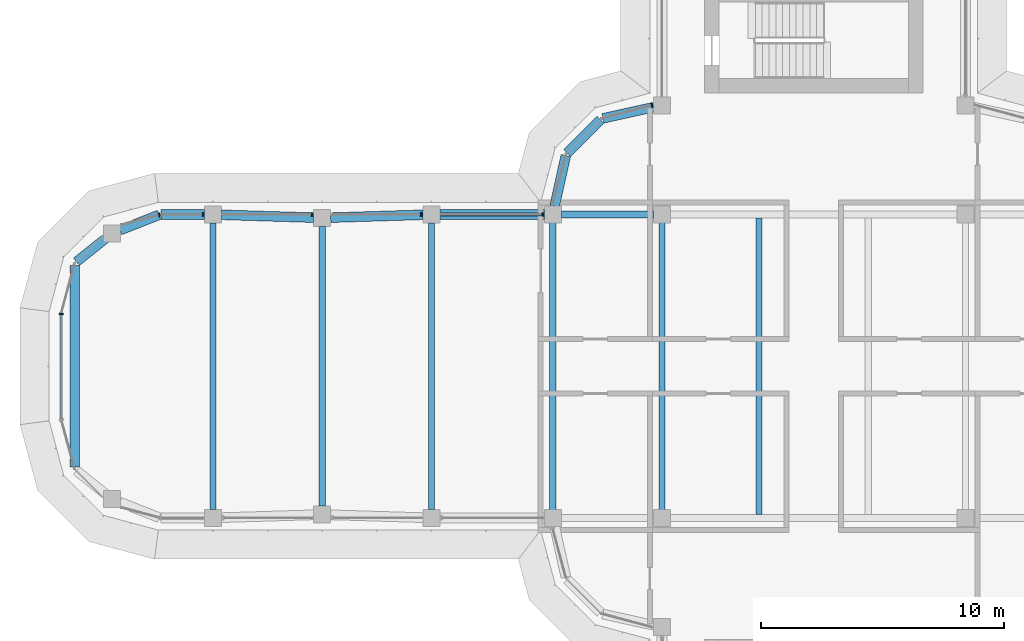
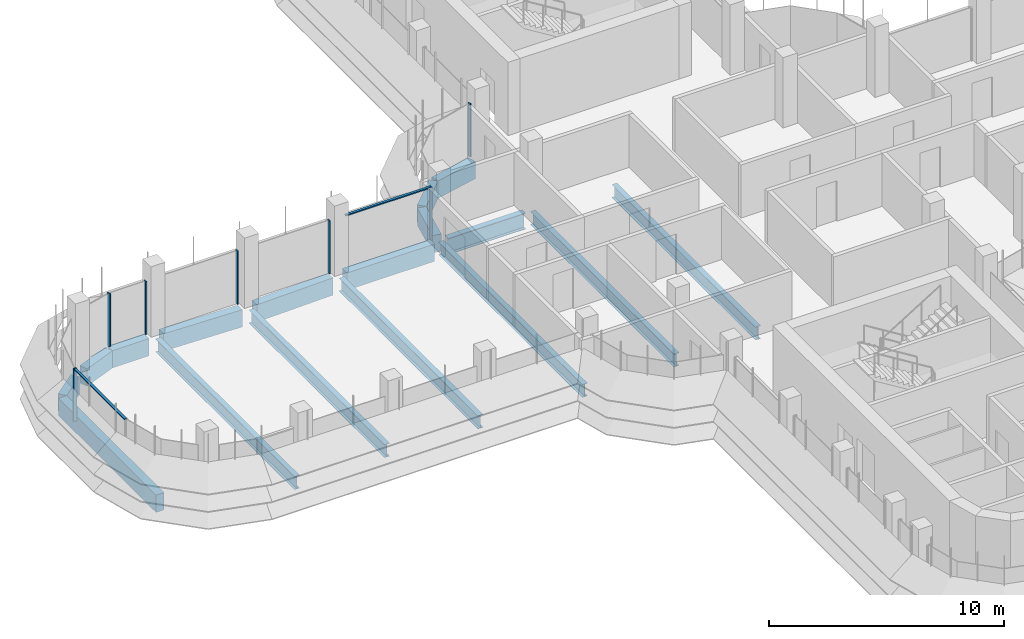
# One storey, part 6 of 19: 17 beams, 9 members, 4 elements without a shape of their own.
"""IFC4 building model written with IfcOpenShell, lengths in metres."""

from ifc_helpers import new_model, si_unit, direction, frame, origin, origin_2d, place, context, subcontext, project, spatial, polyline, rectangle, i_section, outline, extrude, source, transform, mapped, material, material_profile, profile_set, type_object, element, aggregate, save


model = new_model("IFC4")

# Units and contexts
model_context = context("Model", 3, precision=1e-05, world=origin(), true_north=direction((0.0, 1.0)))
body_context = subcontext(model_context, "Body", "Model", "MODEL_VIEW")
ifc_project = project(units=[si_unit("LENGTHUNIT", "METRE"), si_unit("AREAUNIT", "SQUARE_METRE"), si_unit("VOLUMEUNIT", "CUBIC_METRE"), si_unit("PLANEANGLEUNIT", "RADIAN"), si_unit("MASSUNIT", "GRAM", prefix="KILO")], contexts=[model_context])

# Site, building, storey
site_placement = place(None, origin())
site = spatial("IfcSite", under=ifc_project, at=site_placement, CompositionType="ELEMENT")
building_placement = place(site_placement, origin())
building = spatial("IfcBuilding", under=site, at=building_placement, Name="Zarbagh Exchange Tower", CompositionType="ELEMENT")
storey_placement = place(building_placement, frame((0.0, 0.0, 237.199951171875)))
storey = spatial("IfcBuildingStorey", under=building, at=storey_placement, Name="L58", CompositionType="ELEMENT", Elevation=237.199951171875)

# Beams
ifc_material_1 = material(Name="Steel ASTM A992 Gr 50", Category="steel")
ifc_material_profile_1 = material_profile(ifc_material_1, i_section(OverallWidth=0.25390625, OverallDepth=0.67822265625, WebThickness=0.01171875, FlangeThickness=0.016357421875, at=origin_2d()), Name="W27X84")
ifc_profile_set_1 = profile_set([ifc_material_profile_1], Name="Steel ASTM A992 Gr 50")
beam_type_1 = type_object("IfcBeamType", Name="Floor beam W27X84", PredefinedType="BEAM", material=ifc_profile_set_1)
for number, where, z_axis, x_axis, name in (
    (1, (-10.75, -6.10400390625, -0.489013671875), (0.0, 1.0, 0.0), (-1.0, 0.0, 0.0), "Steel floor beam"),
    (2, (-6.25, -6.10400390625, -0.489013671875), (0.0, 1.0, 0.0), (-1.0, 0.0, 0.0), "Steel floor beam"),
    (3, (-2.25, -6.10400390625, -0.489013671875), (0.0, 1.0, 0.0), (-1.0, 0.0, 0.0), "Steel floor beam"),
):
    element("IfcBeam", number, at=place(storey_placement, frame(where, z_axis=z_axis, x_axis=x_axis)), inside=storey, type_object=beam_type_1, Name=name, PredefinedType="BEAM", context=body_context, shape_type="SweptSolid", body=[
        extrude(i_section(OverallWidth=0.25390625, OverallDepth=0.67822265625, WebThickness=0.01171875, FlangeThickness=0.016357421875, at=origin_2d()), origin(), (0.0, 0.0, 1.0), 12.2080078125),
    ])
beam_1_placement = place(storey_placement, frame((-15.75, -5.89990234375, -0.489013671875), z_axis=(0.0, 1.0, 0.0), x_axis=(-1.0, 0.0, 0.0)))
element("IfcBeam", 4, at=beam_1_placement, inside=storey, type_object=beam_type_1, Name="Steel floor beam", PredefinedType="BEAM", context=body_context, shape_type="SweptSolid", body=[
    extrude(i_section(OverallWidth=0.25390625, OverallDepth=0.67822265625, WebThickness=0.01171875, FlangeThickness=0.016357421875, at=origin_2d()), origin(), (0.0, 0.0, 1.0), 11.7998046875),
])
beam_2_placement = place(storey_placement, frame((-20.25, -5.760009765625, -0.489013671875), z_axis=(0.0, 1.0, 0.0), x_axis=(-1.0, 0.0, 0.0)))
element("IfcBeam", 5, at=beam_2_placement, inside=storey, type_object=beam_type_1, Name="Steel floor beam", PredefinedType="BEAM", context=body_context, shape_type="SweptSolid", body=[
    extrude(i_section(OverallWidth=0.25390625, OverallDepth=0.67822265625, WebThickness=0.01171875, FlangeThickness=0.016357421875, at=origin_2d()), origin(), (0.0, 0.0, 1.0), 11.52001953125),
])
beam_3_placement = place(storey_placement, frame((-24.75, -5.89990234375, -0.489013671875), z_axis=(0.0, 1.0, 0.0), x_axis=(-1.0, 0.0, 0.0)))
element("IfcBeam", 6, at=beam_3_placement, inside=storey, type_object=beam_type_1, Name="Steel floor beam", PredefinedType="BEAM", context=body_context, shape_type="SweptSolid", body=[
    extrude(i_section(OverallWidth=0.25390625, OverallDepth=0.67822265625, WebThickness=0.01171875, FlangeThickness=0.016357421875, at=origin_2d()), origin(), (0.0, 0.0, 1.0), 11.7998046875),
])
ifc_material_profile_2 = material_profile(ifc_material_1, i_section(OverallWidth=0.2919921875, OverallDepth=0.835693359375, WebThickness=0.013916015625, FlangeThickness=0.018798828125, at=origin_2d()), Name="W33X118")
ifc_profile_set_2 = profile_set([ifc_material_profile_2], Name="Steel ASTM A992 Gr 50")
beam_type_2 = type_object("IfcBeamType", Name="Floor girder W33X118", PredefinedType="BEAM", material=ifc_profile_set_2)
beam_4_placement = place(storey_placement, frame((-10.39990234375, 6.25, -0.56787109375), z_axis=(1.0, 0.0, 0.0), x_axis=(0.0, 1.0, 0.0)))
element("IfcBeam", 7, at=beam_4_placement, inside=storey, type_object=beam_type_2, Name="Steel girder", PredefinedType="BEAM", context=body_context, shape_type="SweptSolid", body=[
    extrude(i_section(OverallWidth=0.2919921875, OverallDepth=0.835693359375, WebThickness=0.013916015625, FlangeThickness=0.018798828125, at=origin_2d()), origin(), (0.0, 0.0, 1.0), 3.7998046875),
])
ifc_material_2 = material(Name="Concrete C50/60", Category="concrete")
ifc_material_profile_3 = material_profile(ifc_material_2, rectangle(XDim=0.39990234375, YDim=0.89990234375, at=origin_2d()), Name="RC spandrel beam 400 x 900 C50/60")
ifc_profile_set_3 = profile_set([ifc_material_profile_3], Name="Concrete C50/60")
beam_type_3 = type_object("IfcBeamType", Name="RC spandrel beam 400 x 900 C50/60", PredefinedType="SPANDREL", material=ifc_profile_set_3)
beam_5_placement = place(storey_placement, frame((-30.44873046875, -4.14501953125, -0.599853515625), z_axis=(0.0, 1.0, 0.0), x_axis=(-1.0, 0.0, 0.0)))
element("IfcBeam", 8, at=beam_5_placement, inside=storey, type_object=beam_type_3, Name="RC spandrel beam", PredefinedType="SPANDREL", context=body_context, shape_type="SweptSolid", body=[
    extrude(rectangle(XDim=0.39990234375, YDim=0.89990234375, at=origin_2d()), origin(), (0.0, 0.0, 1.0), 8.2900390625),
])
beam_6_placement = place(storey_placement, frame((-30.373779296875, 4.30126953125, -0.599853515625), z_axis=(0.780634897504, 0.62498732531, 0.0), x_axis=(-0.62498732531, 0.780634897504, 0.0)))
element("IfcBeam", 9, at=beam_6_placement, inside=storey, type_object=beam_type_3, Name="RC spandrel beam", PredefinedType="SPANDREL", context=body_context, shape_type="SweptSolid", body=[
    extrude(rectangle(XDim=0.39990234375, YDim=0.89990234375, at=origin_2d()), origin(), (0.0, 0.0, 1.0), 1.52783203125),
])
beam_7_placement = place(storey_placement, frame((-28.582275390625, 5.602783203125, -0.599853515625), z_axis=(0.930809711446, 0.365504146457, 0.0), x_axis=(-0.365504146457, 0.930809711446, 0.0)))
element("IfcBeam", 10, at=beam_7_placement, inside=storey, type_object=beam_type_3, Name="RC spandrel beam", PredefinedType="SPANDREL", context=body_context, shape_type="SweptSolid", body=[
    extrude(rectangle(XDim=0.39990234375, YDim=0.89990234375, at=origin_2d()), origin(), (0.0, 0.0, 1.0), 1.732666015625),
])
beam_8_placement = place(storey_placement, frame((-26.896240234375, 6.25, -0.599853515625), z_axis=(1.0, 0.0, 0.0), x_axis=(0.0, 1.0, 0.0)))
element("IfcBeam", 11, at=beam_8_placement, inside=storey, type_object=beam_type_3, Name="RC spandrel beam", PredefinedType="SPANDREL", context=body_context, shape_type="SweptSolid", body=[
    extrude(rectangle(XDim=0.39990234375, YDim=0.89990234375, at=origin_2d()), origin(), (0.0, 0.0, 1.0), 1.796142578125),
])
for number, where, z_axis, x_axis, name in (
    (12, (-24.400146484375, 6.239013671875, -0.599853515625), (0.999516950199, -0.031078389046, 0.0), (0.031078389046, 0.999516950199, 0.0), "RC spandrel beam"),
    (13, (-19.900146484375, 6.120849609375, -0.599853515625), (0.999516950199, 0.031078389046, 0.0), (-0.031078389046, 0.999516950199, 0.0), "RC spandrel beam"),
):
    element("IfcBeam", number, at=place(storey_placement, frame(where, z_axis=z_axis, x_axis=x_axis)), inside=storey, type_object=beam_type_3, Name=name, PredefinedType="SPANDREL", context=body_context, shape_type="SweptSolid", body=[
        extrude(rectangle(XDim=0.39990234375, YDim=0.89990234375, at=origin_2d()), origin(), (0.0, 0.0, 1.0), 3.80224609375),
    ])
beam_9_placement = place(storey_placement, frame((-15.39990234375, 6.25, -0.599853515625), z_axis=(1.0, 0.0, 0.0), x_axis=(0.0, 1.0, 0.0)))
element("IfcBeam", 14, at=beam_9_placement, inside=storey, type_object=beam_type_3, Name="RC spandrel beam", PredefinedType="SPANDREL", context=body_context, shape_type="SweptSolid", body=[
    extrude(rectangle(XDim=0.39990234375, YDim=0.89990234375, at=origin_2d()), origin(), (0.0, 0.0, 1.0), 4.2998046875),
])
beam_10_placement = place(storey_placement, frame((-10.67431640625, 6.591796875, -0.599853515625), z_axis=(0.216013551096, 0.97639036545, 0.0), x_axis=(-0.97639036545, 0.216013551096, 0.0)))
element("IfcBeam", 15, at=beam_10_placement, inside=storey, type_object=beam_type_3, Name="RC spandrel beam", PredefinedType="SPANDREL", context=body_context, shape_type="SweptSolid", body=[
    extrude(rectangle(XDim=0.39990234375, YDim=0.89990234375, at=origin_2d()), origin(), (0.0, 0.0, 1.0), 2.142822265625),
])
beam_11_placement = place(storey_placement, frame((-10.15771484375, 8.782470703125, -0.599853515625), z_axis=(0.707106781187, 0.707106781187, 0.0), x_axis=(-0.707106781187, 0.707106781187, 0.0)))
element("IfcBeam", 16, at=beam_11_placement, inside=storey, type_object=beam_type_3, Name="RC spandrel beam", PredefinedType="SPANDREL", context=body_context, shape_type="SweptSolid", body=[
    extrude(rectangle(XDim=0.39990234375, YDim=0.89990234375, at=origin_2d()), origin(), (0.0, 0.0, 1.0), 1.94482421875),
])
beam_12_placement = place(storey_placement, frame((-8.68408203125, 10.21142578125, -0.599853515625), z_axis=(0.97639036545, 0.216013551096, 0.0), x_axis=(-0.216013551096, 0.97639036545, 0.0)))
element("IfcBeam", 17, at=beam_12_placement, inside=storey, type_object=beam_type_3, Name="RC spandrel beam", PredefinedType="SPANDREL", context=body_context, shape_type="SweptSolid", body=[
    extrude(rectangle(XDim=0.39990234375, YDim=0.89990234375, at=origin_2d()), origin(), (0.0, 0.0, 1.0), 2.142822265625),
])

# Curtain wall, member
ifc_material_3 = material(Name="Anodised aluminium frame and glazing", Category="aluminium")
curtain_wall_type = type_object("IfcCurtainWallType", Name="CWB Ribbon glazing, upper zones", PredefinedType="NOTDEFINED", material=ifc_material_3)
curtain_wall_1_placement = place(storey_placement, origin())
curtain_wall_1 = element("IfcCurtainWall", 18, at=curtain_wall_1_placement, inside=storey, type_object=curtain_wall_type, Name="CWB29 curtain wall", PredefinedType="NOTDEFINED")
ifc_material_4 = material(Name="Anodised aluminium frame", Category="aluminium")
member_type_1 = type_object("IfcMemberType", Name="MUB Mullion, anodised aluminium frame", PredefinedType="MULLION", material=ifc_material_4)
shared_shape_1 = source(origin(), body_context, "Body", "SweptSolid", [
    extrude(outline(polyline([(0.0, -0.080078125), (0.06005859375, -0.080078125), (0.06005859375, 0.080078125), (0.0, 0.080078125), (0.0, -0.080078125)])), origin(), (0.0, 0.0, 1.0), 2.75),
])
placement = place(storey_placement, origin())
member_1 = element("IfcMember", 19, at=placement, type_object=member_type_1, Name="CWB29 mullion 1.1", PredefinedType="MULLION", context=body_context, shape_type="MappedRepresentation", body=[
    mapped(shared_shape_1, transform((-6.64013671875, 10.76171875, 0.0), x_axis=(-0.965924289636, -0.258824779902, 0.0), y_axis=(0.258824779902, -0.965924289636, 0.0), z_axis=(0.0, 0.0, 1.0))),
])
aggregate(curtain_wall_1, [member_1])

# Curtain wall, members
curtain_wall_2_placement = place(storey_placement, origin())
curtain_wall_2 = element("IfcCurtainWall", 20, at=curtain_wall_2_placement, inside=storey, type_object=curtain_wall_type, Name="CWB58 curtain wall", PredefinedType="NOTDEFINED")
member_2 = element("IfcMember", 21, at=placement, type_object=member_type_1, Name="CWB58 mullion 1.1", PredefinedType="MULLION", context=body_context, shape_type="MappedRepresentation", body=[
    mapped(shared_shape_1, transform((-11.14013671875, 6.25, 0.0), x_axis=(-1.0, 0.0, 0.0), y_axis=(0.0, -1.0, 0.0), z_axis=(0.0, 0.0, 1.0))),
])
member_3 = element("IfcMember", 22, at=placement, type_object=member_type_1, Name="CWB58 mullion 2.1", PredefinedType="MULLION", context=body_context, shape_type="MappedRepresentation", body=[
    mapped(shared_shape_1, transform((-16.14013671875, 6.25, 0.0), x_axis=(-1.0, 0.0, 0.0), y_axis=(0.0, -1.0, 0.0), z_axis=(0.0, 0.0, 1.0))),
])
member_4 = element("IfcMember", 23, at=placement, type_object=member_type_1, Name="CWB58 mullion 3.1", PredefinedType="MULLION", context=body_context, shape_type="MappedRepresentation", body=[
    mapped(shared_shape_1, transform((-20.64013671875, 6.25, 0.0), x_axis=(-1.0, 0.0, 0.0), y_axis=(0.0, -1.0, 0.0), z_axis=(0.0, 0.0, 1.0))),
])
member_5 = element("IfcMember", 24, at=placement, type_object=member_type_1, Name="CWB58 mullion 4.1", PredefinedType="MULLION", context=body_context, shape_type="MappedRepresentation", body=[
    mapped(shared_shape_1, transform((-25.14013671875, 6.25, 0.0), x_axis=(-1.0, 0.0, 0.0), y_axis=(0.0, -1.0, 0.0), z_axis=(0.0, 0.0, 1.0))),
])

# Curtain wall, member
curtain_wall_3_placement = place(storey_placement, origin())
curtain_wall_3 = element("IfcCurtainWall", 25, at=curtain_wall_3_placement, inside=storey, type_object=curtain_wall_type, Name="CWB59 curtain wall", PredefinedType="NOTDEFINED")
member_6 = element("IfcMember", 26, at=placement, type_object=member_type_1, Name="CWB59 mullion 1.1", PredefinedType="MULLION", context=body_context, shape_type="MappedRepresentation", body=[
    mapped(shared_shape_1, transform((-26.93408203125, 6.25, 0.0), x_axis=(-0.965924289636, -0.258824779902, 0.0), y_axis=(0.258824779902, -0.965924289636, 0.0), z_axis=(0.0, 0.0, 1.0))),
])
aggregate(curtain_wall_3, [member_6])

# Curtain wall, members
curtain_wall_4_placement = place(storey_placement, origin())
curtain_wall_4 = element("IfcCurtainWall", 27, at=curtain_wall_4_placement, inside=storey, type_object=curtain_wall_type, Name="CWB66 curtain wall", PredefinedType="NOTDEFINED")
member_7 = element("IfcMember", 28, at=placement, type_object=member_type_1, Name="CWB66 mullion 1.1", PredefinedType="MULLION", context=body_context, shape_type="MappedRepresentation", body=[
    mapped(shared_shape_1, transform((-31.0, 2.18408203125, 0.0), x_axis=(0.0, -1.0, 0.0), y_axis=(1.0, 0.0, 0.0), z_axis=(0.0, 0.0, 1.0))),
])
member_type_2 = type_object("IfcMemberType", Name="TRB Transom, anodised aluminium frame", PredefinedType="USERDEFINED", material=ifc_material_4)
shared_shape_2 = source(origin(), body_context, "Body", "SweptSolid", [
    extrude(outline(polyline([(-0.06005859375, -0.06005859375), (0.0, -0.06005859375), (0.0, 0.06005859375), (-0.06005859375, 0.06005859375), (-0.06005859375, -0.06005859375)])), origin(), (0.0, 0.0, 1.0), 4.308349609375),
])
member_8 = element("IfcMember", 29, at=placement, type_object=member_type_2, Name="CWB66 transom 1.1", ObjectType="TRANSOM", PredefinedType="USERDEFINED", context=body_context, shape_type="MappedRepresentation", body=[
    mapped(shared_shape_2, transform((-31.0, 2.124267578125, 2.75), x_axis=(0.0, 0.0, 1.0), y_axis=(-1.0, 0.0, 0.0), z_axis=(0.0, -1.0, 0.0))),
])
aggregate(curtain_wall_4, [member_7, member_8])

# Member
shared_shape_3 = source(origin(), body_context, "Body", "SweptSolid", [
    extrude(outline(polyline([(-0.06005859375, -0.06005859375), (0.0, -0.06005859375), (0.0, 0.06005859375), (-0.06005859375, 0.06005859375), (-0.06005859375, -0.06005859375)])), origin(), (0.0, 0.0, 1.0), 4.159912109375),
])
member_9 = element("IfcMember", 30, at=placement, type_object=member_type_2, Name="CWB58 transom 1.1", ObjectType="TRANSOM", PredefinedType="USERDEFINED", context=body_context, shape_type="MappedRepresentation", body=[
    mapped(shared_shape_3, transform((-11.199951171875, 6.25, 2.75), x_axis=(0.0, 0.0, 1.0), y_axis=(0.0, 1.0, 0.0), z_axis=(-1.0, 0.0, 0.0))),
])

aggregate(curtain_wall_2, [member_2, member_9, member_3, member_4, member_5])

save(model, "model.ifc")
